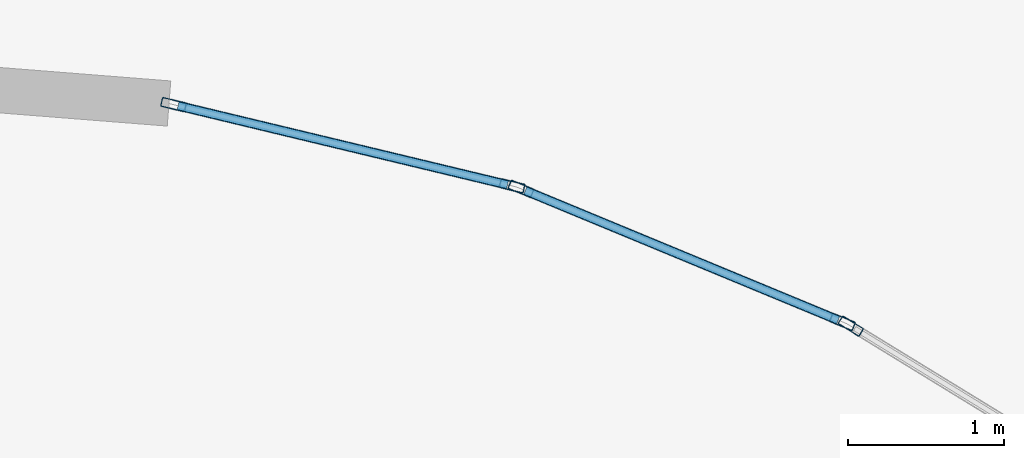
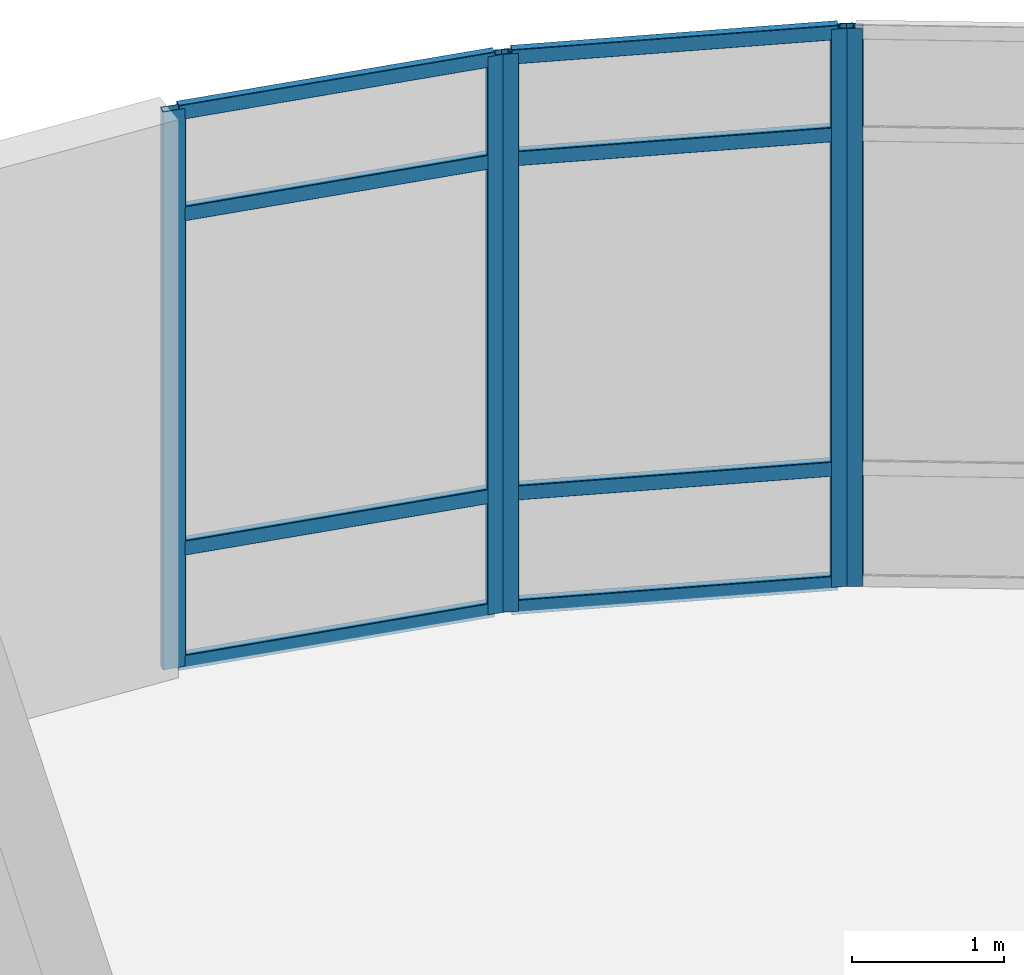
# One storey, part 46 of 76: 13 members, 3 elements without a shape of their own.
"""IFC4 building model written with IfcOpenShell, lengths in metres."""

from ifc_helpers import new_model, si_unit, derived_unit, direction, frame, origin, origin_2d, place, context, subcontext, project, spatial, hollow_rectangle, extrude, material, layer, layer_set, material_profile, profile_set, type_object, element, aggregate, save


model = new_model("IFC4")

# Units and contexts
model_context = context("Model", 3, precision=1e-05, world=origin(), true_north=direction((0.0, 1.0)))
body_context = subcontext(model_context, "Body", "Model", "MODEL_VIEW")
ifc_project = project(units=[si_unit("LENGTHUNIT", "METRE"), si_unit("AREAUNIT", "SQUARE_METRE"), si_unit("VOLUMEUNIT", "CUBIC_METRE"), si_unit("PLANEANGLEUNIT", "RADIAN"), si_unit("MASSUNIT", "GRAM", prefix="KILO"), derived_unit("THERMALTRANSMITTANCEUNIT", [(si_unit("MASSUNIT", "GRAM", prefix="KILO"), 1), (si_unit("TIMEUNIT", "SECOND"), -3), (si_unit("THERMODYNAMICTEMPERATUREUNIT", "KELVIN"), -1)])], contexts=[model_context])

# Site, building, storey
site_placement = place(None, origin())
site = spatial("IfcSite", under=ifc_project, at=site_placement, CompositionType="ELEMENT")
building_placement = place(site_placement, origin())
building = spatial("IfcBuilding", under=site, at=building_placement, Name="Qinzheling Arcade Emporium", CompositionType="ELEMENT")
storey_placement = place(building_placement, frame((0.0, 0.0, 26.699951171875)))
storey = spatial("IfcBuildingStorey", under=building, at=storey_placement, Name="L06", CompositionType="ELEMENT", Elevation=26.699951171875)

# Curtain wall, members
ifc_material_1 = material(Name="Anodised aluminium and solar-control double glazing", Category="aluminium")
ifc_layer = layer(ifc_material_1, 0.159912109375, Name="Anodised aluminium and solar-control double glazing", Category="aluminium")
ifc_layer_set = layer_set([ifc_layer], Name="Anodised aluminium and solar-control double glazing")
curtain_wall_type = type_object("IfcCurtainWallType", Name="Curved Ribbon Sales Curtain Wall", PredefinedType="NOTDEFINED", material=ifc_layer_set)
curtain_wall_1_placement = place(storey_placement, origin())
curtain_wall_1 = element("IfcCurtainWall", 1, at=curtain_wall_1_placement, inside=storey, type_object=curtain_wall_type, Name="Curtain Wall CW-L06-384", PredefinedType="NOTDEFINED")
ifc_material_2 = material(Name="Anodised aluminium 6063-T6", Category="aluminium")
ifc_material_profile_1 = material_profile(ifc_material_2, hollow_rectangle(XDim=0.06005859375, YDim=0.159912109375, WallThickness=0.00390625, InnerFilletRadius=0.00390625, OuterFilletRadius=0.008056640625, at=origin_2d()), Name="RHS 160x60x4", Category="aluminium")
ifc_profile_set_1 = profile_set([ifc_material_profile_1], Name="Anodised aluminium 6063-T6")
member_type_1 = type_object("IfcMemberType", Name="Curtain Wall Mullion RHS160x60", PredefinedType="MULLION", material=ifc_profile_set_1)
member_1_placement = place(storey_placement, frame((122.9130859375, 106.613037109375, 0.0), z_axis=(0.0, 0.0, 1.0), x_axis=(0.233488495058, 0.972359564501, 0.0)))
member_1 = element("IfcMember", 2, at=member_1_placement, type_object=member_type_1, Name="CW02 mullion 1", PredefinedType="MULLION", context=body_context, shape_type="SweptSolid", body=[
    extrude(hollow_rectangle(XDim=0.06005859375, YDim=0.159912109375, WallThickness=0.00390625, InnerFilletRadius=0.00390625, OuterFilletRadius=0.008056640625, at=origin_2d()), origin(), (0.0, 0.0, 1.0), 4.489990234375),
])
member_2_placement = place(storey_placement, frame((125.082763671875, 106.092041015625, 0.0), z_axis=(0.0, 0.0, 1.0), x_axis=(0.233488495058, 0.972359564501, 0.0)))
member_2 = element("IfcMember", 3, at=member_2_placement, type_object=member_type_1, Name="CW02 mullion 2", PredefinedType="MULLION", context=body_context, shape_type="SweptSolid", body=[
    extrude(hollow_rectangle(XDim=0.06005859375, YDim=0.159912109375, WallThickness=0.00390625, InnerFilletRadius=0.00390625, OuterFilletRadius=0.008056640625, at=origin_2d()), origin(), (0.0, 0.0, 1.0), 4.489990234375),
])

curtain_wall_2_placement = place(storey_placement, origin())
curtain_wall_2 = element("IfcCurtainWall", 4, at=curtain_wall_2_placement, inside=storey, type_object=curtain_wall_type, Name="Curtain Wall CW-L06-385", PredefinedType="NOTDEFINED")
member_3_placement = place(storey_placement, frame((125.1396484375, 106.073486328125, 0.0), z_axis=(0.0, 0.0, 1.0), x_axis=(0.382506055886, 0.923952984308, 0.0)))
member_3 = element("IfcMember", 5, at=member_3_placement, type_object=member_type_1, Name="CW02 mullion 1", PredefinedType="MULLION", context=body_context, shape_type="SweptSolid", body=[
    extrude(hollow_rectangle(XDim=0.06005859375, YDim=0.159912109375, WallThickness=0.00390625, InnerFilletRadius=0.00390625, OuterFilletRadius=0.008056640625, at=origin_2d()), origin(), (0.0, 0.0, 1.0), 4.489990234375),
])
member_4_placement = place(storey_placement, frame((127.2001953125, 105.220458984375, 0.0), z_axis=(0.0, 0.0, 1.0), x_axis=(0.382506055886, 0.923952984308, 0.0)))
member_4 = element("IfcMember", 6, at=member_4_placement, type_object=member_type_1, Name="CW02 mullion 2", PredefinedType="MULLION", context=body_context, shape_type="SweptSolid", body=[
    extrude(hollow_rectangle(XDim=0.06005859375, YDim=0.159912109375, WallThickness=0.00390625, InnerFilletRadius=0.00390625, OuterFilletRadius=0.008056640625, at=origin_2d()), origin(), (0.0, 0.0, 1.0), 4.489990234375),
])

# Curtain wall, member
curtain_wall_3_placement = place(storey_placement, origin())
curtain_wall_3 = element("IfcCurtainWall", 7, at=curtain_wall_3_placement, inside=storey, type_object=curtain_wall_type, Name="Curtain Wall CW-L06-386", PredefinedType="NOTDEFINED")
member_5_placement = place(storey_placement, frame((127.253662109375, 105.193359375, 0.0), z_axis=(0.0, 0.0, 1.0), x_axis=(0.522367613156, 0.852720397742, 0.0)))
member_5 = element("IfcMember", 8, at=member_5_placement, type_object=member_type_1, Name="CW02 mullion 1", PredefinedType="MULLION", context=body_context, shape_type="SweptSolid", body=[
    extrude(hollow_rectangle(XDim=0.06005859375, YDim=0.159912109375, WallThickness=0.00390625, InnerFilletRadius=0.00390625, OuterFilletRadius=0.008056640625, at=origin_2d()), origin(), (0.0, 0.0, 1.0), 4.489990234375),
])
aggregate(curtain_wall_3, [member_5])

# Member
ifc_material_profile_2 = material_profile(ifc_material_2, hollow_rectangle(XDim=0.06005859375, YDim=0.1201171875, WallThickness=0.00390625, InnerFilletRadius=0.00390625, OuterFilletRadius=0.008056640625, at=origin_2d()), Name="RHS 120x60x4", Category="aluminium")
ifc_profile_set_2 = profile_set([ifc_material_profile_2], Name="Anodised aluminium 6063-T6")
member_type_2 = type_object("IfcMemberType", Name="Curtain Wall Transom RHS120x60", PredefinedType="USERDEFINED", material=ifc_profile_set_2)
member_6_placement = place(storey_placement, frame((122.9423828125, 106.60595703125, 0.030029296875), z_axis=(0.972375053093, -0.233423983606, 0.0), x_axis=(0.233423983606, 0.972375053093, 0.0)))
member_6 = element("IfcMember", 9, at=member_6_placement, type_object=member_type_2, Name="CW02 transom 1.1", ObjectType="TRANSOM", PredefinedType="USERDEFINED", context=body_context, shape_type="SweptSolid", body=[
    extrude(hollow_rectangle(XDim=0.06005859375, YDim=0.1201171875, WallThickness=0.00390625, InnerFilletRadius=0.00390625, OuterFilletRadius=0.008056640625, at=origin_2d()), origin(), (0.0, 0.0, 1.0), 2.17138671875),
])

member_7_placement = place(storey_placement, frame((122.9423828125, 106.60595703125, 0.949951171875), z_axis=(0.972375053093, -0.233423983606, 0.0), x_axis=(0.233423983606, 0.972375053093, 0.0)))
member_7 = element("IfcMember", 10, at=member_7_placement, type_object=member_type_2, Name="CW02 transom 1.2", ObjectType="TRANSOM", PredefinedType="USERDEFINED", context=body_context, shape_type="SweptSolid", body=[
    extrude(hollow_rectangle(XDim=0.06005859375, YDim=0.1201171875, WallThickness=0.00390625, InnerFilletRadius=0.00390625, OuterFilletRadius=0.008056640625, at=origin_2d()), origin(), (0.0, 0.0, 1.0), 2.17138671875),
])

member_8_placement = place(storey_placement, frame((122.9423828125, 106.60595703125, 3.64013671875), z_axis=(0.972375053093, -0.233423983606, 0.0), x_axis=(0.233423983606, 0.972375053093, 0.0)))
member_8 = element("IfcMember", 11, at=member_8_placement, type_object=member_type_2, Name="CW02 transom 1.3", ObjectType="TRANSOM", PredefinedType="USERDEFINED", context=body_context, shape_type="SweptSolid", body=[
    extrude(hollow_rectangle(XDim=0.06005859375, YDim=0.1201171875, WallThickness=0.00390625, InnerFilletRadius=0.00390625, OuterFilletRadius=0.008056640625, at=origin_2d()), origin(), (0.0, 0.0, 1.0), 2.17138671875),
])

member_9_placement = place(storey_placement, frame((122.9423828125, 106.60595703125, 4.4599609375), z_axis=(0.972375053093, -0.233423983606, 0.0), x_axis=(0.233423983606, 0.972375053093, 0.0)))
member_9 = element("IfcMember", 12, at=member_9_placement, type_object=member_type_2, Name="CW02 transom 1.4", ObjectType="TRANSOM", PredefinedType="USERDEFINED", context=body_context, shape_type="SweptSolid", body=[
    extrude(hollow_rectangle(XDim=0.06005859375, YDim=0.1201171875, WallThickness=0.00390625, InnerFilletRadius=0.00390625, OuterFilletRadius=0.008056640625, at=origin_2d()), origin(), (0.0, 0.0, 1.0), 2.17138671875),
])

aggregate(curtain_wall_1, [member_1, member_2, member_6, member_7, member_8, member_9])

member_10_placement = place(storey_placement, frame((125.16748046875, 106.06201171875, 0.030029296875), z_axis=(0.923956516751, -0.382497523068, 0.0), x_axis=(0.382497523068, 0.923956516751, 0.0)))
member_10 = element("IfcMember", 13, at=member_10_placement, type_object=member_type_2, Name="CW02 transom 1.1", ObjectType="TRANSOM", PredefinedType="USERDEFINED", context=body_context, shape_type="SweptSolid", body=[
    extrude(hollow_rectangle(XDim=0.06005859375, YDim=0.1201171875, WallThickness=0.00390625, InnerFilletRadius=0.00390625, OuterFilletRadius=0.008056640625, at=origin_2d()), origin(), (0.0, 0.0, 1.0), 2.170166015625),
])

member_11_placement = place(storey_placement, frame((125.16748046875, 106.06201171875, 0.949951171875), z_axis=(0.923956516751, -0.382497523068, 0.0), x_axis=(0.382497523068, 0.923956516751, 0.0)))
member_11 = element("IfcMember", 14, at=member_11_placement, type_object=member_type_2, Name="CW02 transom 1.2", ObjectType="TRANSOM", PredefinedType="USERDEFINED", context=body_context, shape_type="SweptSolid", body=[
    extrude(hollow_rectangle(XDim=0.06005859375, YDim=0.1201171875, WallThickness=0.00390625, InnerFilletRadius=0.00390625, OuterFilletRadius=0.008056640625, at=origin_2d()), origin(), (0.0, 0.0, 1.0), 2.170166015625),
])

member_12_placement = place(storey_placement, frame((125.16748046875, 106.06201171875, 3.64013671875), z_axis=(0.923956516751, -0.382497523068, 0.0), x_axis=(0.382497523068, 0.923956516751, 0.0)))
member_12 = element("IfcMember", 15, at=member_12_placement, type_object=member_type_2, Name="CW02 transom 1.3", ObjectType="TRANSOM", PredefinedType="USERDEFINED", context=body_context, shape_type="SweptSolid", body=[
    extrude(hollow_rectangle(XDim=0.06005859375, YDim=0.1201171875, WallThickness=0.00390625, InnerFilletRadius=0.00390625, OuterFilletRadius=0.008056640625, at=origin_2d()), origin(), (0.0, 0.0, 1.0), 2.170166015625),
])

member_13_placement = place(storey_placement, frame((125.16748046875, 106.06201171875, 4.4599609375), z_axis=(0.923956516751, -0.382497523068, 0.0), x_axis=(0.382497523068, 0.923956516751, 0.0)))
member_13 = element("IfcMember", 16, at=member_13_placement, type_object=member_type_2, Name="CW02 transom 1.4", ObjectType="TRANSOM", PredefinedType="USERDEFINED", context=body_context, shape_type="SweptSolid", body=[
    extrude(hollow_rectangle(XDim=0.06005859375, YDim=0.1201171875, WallThickness=0.00390625, InnerFilletRadius=0.00390625, OuterFilletRadius=0.008056640625, at=origin_2d()), origin(), (0.0, 0.0, 1.0), 2.170166015625),
])

aggregate(curtain_wall_2, [member_3, member_4, member_10, member_11, member_12, member_13])

save(model, "model.ifc")
